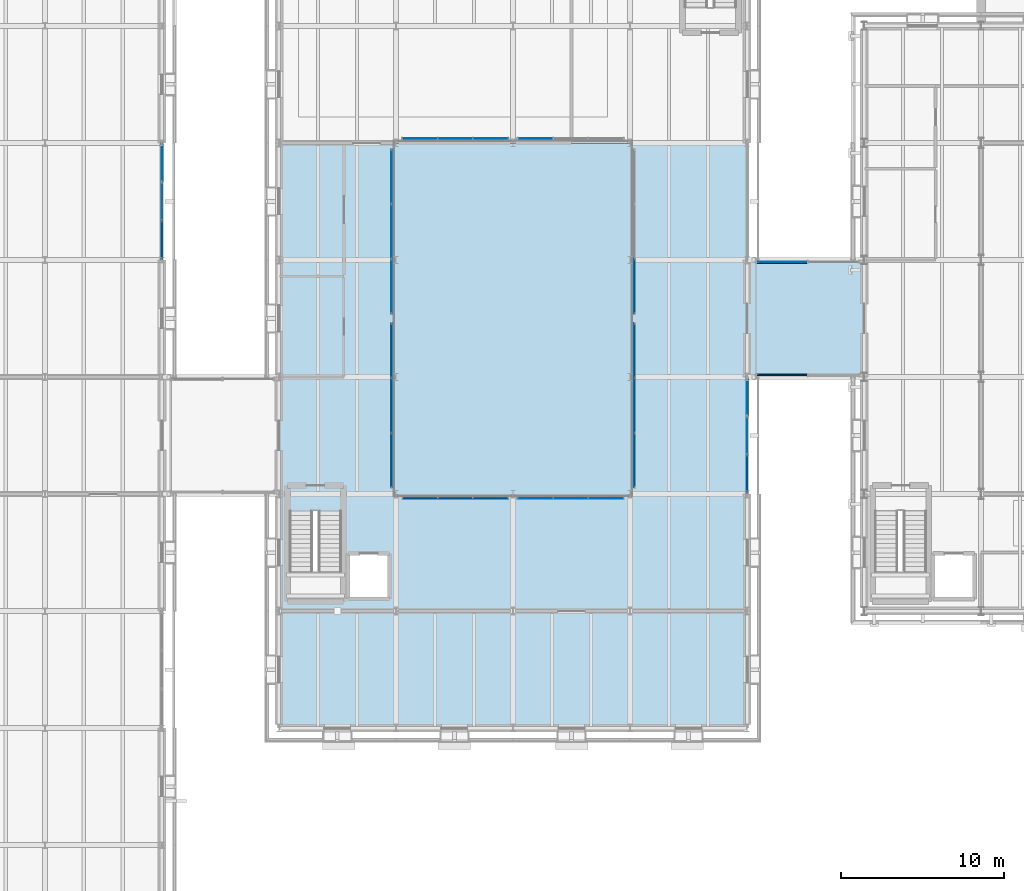
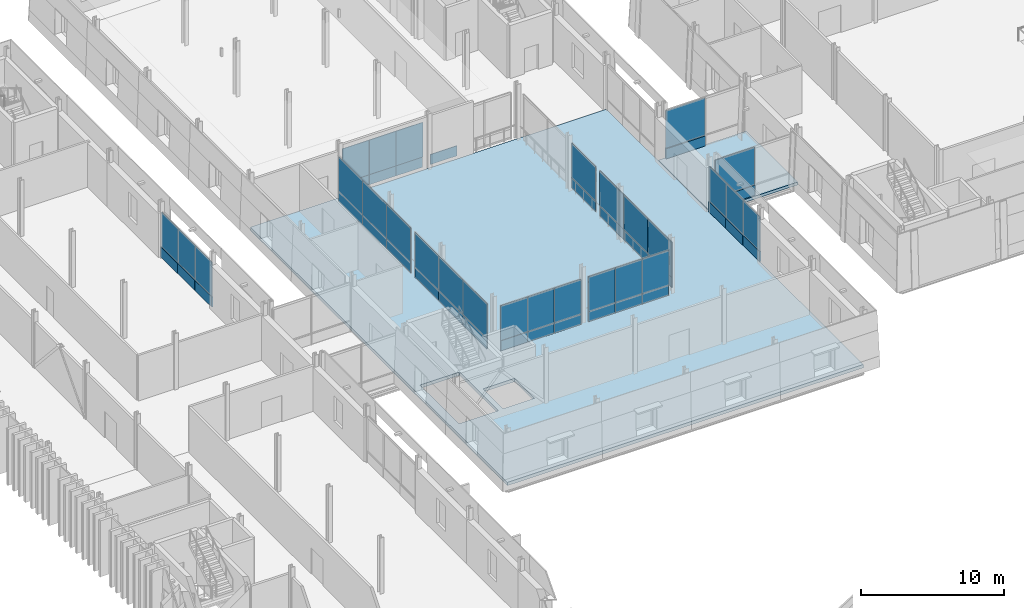
# One storey, part 62 of 121: 55 plates, 2 slabs, 12 elements without a shape of their own.
"""IFC4 building model written with IfcOpenShell, lengths in metres."""

from ifc_helpers import new_model, si_unit, direction, frame, origin, origin_2d, place, context, subcontext, project, spatial, polyline, rectangle, outline, extrude, material, layer, layer_set, type_object, element, aggregate, save


model = new_model("IFC4")

# Units and contexts
model_context = context("Model", 3, precision=1e-05, world=origin(), true_north=direction((0.0, 1.0)))
body_context = subcontext(model_context, "Body", "Model", "MODEL_VIEW")
ifc_project = project(units=[si_unit("LENGTHUNIT", "METRE"), si_unit("AREAUNIT", "SQUARE_METRE"), si_unit("VOLUMEUNIT", "CUBIC_METRE"), si_unit("PLANEANGLEUNIT", "RADIAN"), si_unit("MASSUNIT", "GRAM", prefix="KILO")], contexts=[model_context])

# Site, building, storey
site_placement = place(None, origin())
site = spatial("IfcSite", under=ifc_project, at=site_placement, CompositionType="ELEMENT")
building_placement = place(site_placement, origin())
building = spatial("IfcBuilding", under=site, at=building_placement, Name="Narikvali Park Central Library", CompositionType="ELEMENT")
storey_placement = place(building_placement, frame((0.0, 0.0, 5.39990234375)))
storey = spatial("IfcBuildingStorey", under=building, at=storey_placement, Name="L01", CompositionType="ELEMENT", Elevation=5.39990234375)

# Slabs
ifc_material_1 = material(Name="Concrete C40/50", Category="concrete")
ifc_layer_1 = layer(ifc_material_1, 0.25, Name="Concrete C40/50")
ifc_layer_set_1 = layer_set([ifc_layer_1], Name="Concrete C40/50")
slab_type_1 = type_object("IfcSlabType", Name="Bridge Sliding Deck Slab 250", PredefinedType="FLOOR", material=ifc_layer_set_1)
slab_1_placement = place(storey_placement, frame((0.0, 0.0, -0.25)))
element("IfcSlab", 1, at=slab_1_placement, inside=storey, type_object=slab_type_1, Name="BRG-2 L01 Covered Bridge Deck", PredefinedType="FLOOR", context=body_context, shape_type="SweptSolid", body=[
    extrude(outline(polyline([(57.639892578125, 72.0), (64.760009765625, 72.0), (64.760009765625, 79.199951171875), (57.639892578125, 79.199951171875), (57.639892578125, 72.0)])), origin(), (0.0, 0.0, 1.0), 0.25),
])
ifc_material_2 = material(Name="Concrete C35/45", Category="concrete")
ifc_layer_2 = layer(ifc_material_2, 0.280029296875, Name="Concrete C35/45")
ifc_layer_set_2 = layer_set([ifc_layer_2], Name="Concrete C35/45")
slab_type_2 = type_object("IfcSlabType", Name="Composite Reading Floor Slab 280", PredefinedType="FLOOR", material=ifc_layer_set_2)
slab_2_placement = place(storey_placement, frame((0.0, 0.0, -0.27978515625)))
element("IfcSlab", 2, at=slab_2_placement, inside=storey, type_object=slab_type_2, Name="V4 L01 Structural Slab Panel 1", PredefinedType="FLOOR", context=body_context, shape_type="SweptSolid", body=[
    extrude(outline(polyline([(28.800048828125, 50.39990234375), (57.60009765625, 50.39990234375), (57.60009765625, 86.39990234375), (28.800048828125, 86.39990234375), (28.800048828125, 50.39990234375)]), holes=[polyline([(29.449951171875, 58.300048828125), (32.64990234375, 58.300048828125), (32.64990234375, 63.75), (29.449951171875, 63.75), (29.449951171875, 58.300048828125)]), polyline([(33.050048828125, 58.35009765625), (35.60009765625, 58.35009765625), (35.60009765625, 61.14990234375), (33.050048828125, 61.14990234375), (33.050048828125, 58.35009765625)])]), origin(), (0.0, 0.0, 1.0), 0.27978515625),
])

# Curtain wall, plate
ifc_material_3 = material(Name="Anodised Bronze Aluminium", Category="aluminium")
ifc_layer_3 = layer(ifc_material_3, 0.219970703125, Name="Anodised Bronze Aluminium")
ifc_layer_set_3 = layer_set([ifc_layer_3], Name="Anodised Bronze Aluminium")
curtain_wall_type_1 = type_object("IfcCurtainWallType", Name="Atrium Tall Curtain Wall System", PredefinedType="NOTDEFINED", material=ifc_layer_set_3)
curtain_wall_1_placement = place(storey_placement, origin())
curtain_wall_1 = element("IfcCurtainWall", 3, at=curtain_wall_1_placement, inside=storey, type_object=curtain_wall_type_1, Name="Atrium Tall Curtain Wall System CW-V4-L01-E-03", PredefinedType="NOTDEFINED")
ifc_material_4 = material(Name="Anodised Bronze Acoustic Spandrel Cassette")
ifc_layer_4 = layer(ifc_material_4, 0.1650390625, Name="Anodised Bronze Acoustic Spandrel Cassette")
ifc_layer_set_4 = layer_set([ifc_layer_4], Name="Anodised Bronze Acoustic Spandrel Cassette")
plate_type_1 = type_object("IfcPlateType", Name="Curtain Wall Acoustic Plenum Louvre Cassette 165", PredefinedType="CURTAIN_PANEL", material=ifc_layer_set_4)
plate_1_placement = place(storey_placement, frame((57.60009765625, 70.774658203125, 0.03515625), z_axis=(0.0, 0.0, 1.0), x_axis=(0.0, 1.0, 0.0)))
plate_1 = element("IfcPlate", 4, at=plate_1_placement, type_object=plate_type_1, Name="CW-V4-L01-E-03 Panel 02-0", PredefinedType="CURTAIN_PANEL", context=body_context, shape_type="SweptSolid", body=[
    extrude(rectangle(XDim=2.36474609375, YDim=0.1650390625, at=origin_2d()), origin(), (0.0, 0.0, 1.0), 0.860107421875),
])

curtain_wall_2_placement = place(storey_placement, origin())
curtain_wall_2 = element("IfcCurtainWall", 5, at=curtain_wall_2_placement, inside=storey, type_object=curtain_wall_type_1, Name="Atrium Tall Curtain Wall System CW-V5-L01-E-08", PredefinedType="NOTDEFINED")
plate_2_placement = place(storey_placement, frame((21.60009765625, 85.1748046875, 0.03515625), z_axis=(0.0, 0.0, 1.0), x_axis=(0.0, 1.0, 0.0)))
plate_2 = element("IfcPlate", 6, at=plate_2_placement, type_object=plate_type_1, Name="CW-V5-L01-E-08 Panel 02-0", PredefinedType="CURTAIN_PANEL", context=body_context, shape_type="SweptSolid", body=[
    extrude(rectangle(XDim=2.36474609375, YDim=0.1650390625, at=origin_2d()), origin(), (0.0, 0.0, 1.0), 0.860107421875),
])

ifc_layer_5 = layer(ifc_material_3, 0.219970703125, Name="Anodised Bronze Aluminium")
ifc_layer_set_5 = layer_set([ifc_layer_5], Name="Anodised Bronze Aluminium")
curtain_wall_type_2 = type_object("IfcCurtainWallType", Name="Bridge Covered Passage Glazing System", PredefinedType="NOTDEFINED", material=ifc_layer_set_5)
curtain_wall_3_placement = place(storey_placement, origin())
curtain_wall_3 = element("IfcCurtainWall", 7, at=curtain_wall_3_placement, inside=storey, type_object=curtain_wall_type_2, Name="Bridge Covered Passage Glazing System CW-BRG-2-L01-N1", PredefinedType="NOTDEFINED")
plate_3_placement = place(storey_placement, frame((59.737548828125, 79.080078125, 0.03515625), z_axis=(0.0, 0.0, 1.0), x_axis=(1.0, 0.0, 0.0)))
plate_3 = element("IfcPlate", 8, at=plate_3_placement, type_object=plate_type_1, Name="CW-BRG-2-L01-N1 Panel 00-0", PredefinedType="CURTAIN_PANEL", context=body_context, shape_type="SweptSolid", body=[
    extrude(rectangle(XDim=3.1650390625, YDim=0.1650390625, at=origin_2d()), origin(), (0.0, 0.0, 1.0), 0.860107421875),
])

curtain_wall_4_placement = place(storey_placement, origin())
curtain_wall_4 = element("IfcCurtainWall", 9, at=curtain_wall_4_placement, inside=storey, type_object=curtain_wall_type_2, Name="Bridge Covered Passage Glazing System CW-BRG-2-L01-S1", PredefinedType="NOTDEFINED")
ifc_material_5 = material(Name="Heavy Acoustic Laminated Clerestory Glazing", Category="glass")
ifc_layer_6 = layer(ifc_material_5, 0.06396484375, Name="Heavy Acoustic Laminated Clerestory Glazing")
ifc_layer_set_6 = layer_set([ifc_layer_6], Name="Heavy Acoustic Laminated Clerestory Glazing")
plate_type_2 = type_object("IfcPlateType", Name="Curtain Wall Clerestory Laminated Acoustic Glass 64", PredefinedType="CURTAIN_PANEL", material=ifc_layer_set_6)
plate_4_placement = place(storey_placement, frame((59.737548828125, 72.1201171875, 0.905029296875), z_axis=(0.0, 0.0, 1.0), x_axis=(1.0, 0.0, 0.0)))
plate_4 = element("IfcPlate", 10, at=plate_4_placement, type_object=plate_type_2, Name="CW-BRG-2-L01-S1 Panel 00-1", PredefinedType="CURTAIN_PANEL", context=body_context, shape_type="SweptSolid", body=[
    extrude(rectangle(XDim=3.1650390625, YDim=0.06396484375, at=origin_2d()), origin(), (0.0, 0.0, 1.0), 3.2099609375),
])

# Curtain wall, plates
curtain_wall_5_placement = place(storey_placement, origin())
curtain_wall_5 = element("IfcCurtainWall", 11, at=curtain_wall_5_placement, inside=storey, type_object=curtain_wall_type_1, Name="Atrium Tall Curtain Wall System CW-INT-V4-L01-W1", PredefinedType="NOTDEFINED")
plate_5_placement = place(storey_placement, frame((35.719970703125, 66.88330078125, 0.03515625), z_axis=(0.0, 0.0, 1.0), x_axis=(0.0, 1.0, 0.0)))
plate_5 = element("IfcPlate", 12, at=plate_5_placement, type_object=plate_type_2, Name="CW-INT-V4-L01-W1 Panel 00-0", PredefinedType="CURTAIN_PANEL", context=body_context, shape_type="SweptSolid", body=[
    extrude(rectangle(XDim=3.356689453125, YDim=0.06396484375, at=origin_2d()), origin(), (0.0, 0.0, 1.0), 0.860107421875),
])
plate_6_placement = place(storey_placement, frame((35.719970703125, 70.25, 0.03515625), z_axis=(0.0, 0.0, 1.0), x_axis=(0.0, 1.0, 0.0)))
plate_6 = element("IfcPlate", 13, at=plate_6_placement, type_object=plate_type_2, Name="CW-INT-V4-L01-W1 Panel 01-0", PredefinedType="CURTAIN_PANEL", context=body_context, shape_type="SweptSolid", body=[
    extrude(rectangle(XDim=3.356689453125, YDim=0.06396484375, at=origin_2d()), origin(), (0.0, 0.0, 1.0), 0.860107421875),
])
plate_7_placement = place(storey_placement, frame((35.719970703125, 73.61669921875, 0.03515625), z_axis=(0.0, 0.0, 1.0), x_axis=(0.0, 1.0, 0.0)))
plate_7 = element("IfcPlate", 14, at=plate_7_placement, type_object=plate_type_2, Name="CW-INT-V4-L01-W1 Panel 02-0", PredefinedType="CURTAIN_PANEL", context=body_context, shape_type="SweptSolid", body=[
    extrude(rectangle(XDim=3.356689453125, YDim=0.06396484375, at=origin_2d()), origin(), (0.0, 0.0, 1.0), 0.860107421875),
])

curtain_wall_6_placement = place(storey_placement, origin())
curtain_wall_6 = element("IfcCurtainWall", 15, at=curtain_wall_6_placement, inside=storey, type_object=curtain_wall_type_1, Name="Atrium Tall Curtain Wall System CW-INT-V4-L01-E1", PredefinedType="NOTDEFINED")
plate_8_placement = place(storey_placement, frame((50.679931640625, 66.88330078125, 0.905029296875), z_axis=(0.0, 0.0, 1.0), x_axis=(0.0, 1.0, 0.0)))
plate_8 = element("IfcPlate", 16, at=plate_8_placement, type_object=plate_type_2, Name="CW-INT-V4-L01-E1 Panel 00-1", PredefinedType="CURTAIN_PANEL", context=body_context, shape_type="SweptSolid", body=[
    extrude(rectangle(XDim=3.356689453125, YDim=0.06396484375, at=origin_2d()), origin(), (0.0, 0.0, 1.0), 2.9599609375),
])
plate_9_placement = place(storey_placement, frame((50.679931640625, 70.25, 0.905029296875), z_axis=(0.0, 0.0, 1.0), x_axis=(0.0, 1.0, 0.0)))
plate_9 = element("IfcPlate", 17, at=plate_9_placement, type_object=plate_type_2, Name="CW-INT-V4-L01-E1 Panel 01-1", PredefinedType="CURTAIN_PANEL", context=body_context, shape_type="SweptSolid", body=[
    extrude(rectangle(XDim=3.356689453125, YDim=0.06396484375, at=origin_2d()), origin(), (0.0, 0.0, 1.0), 2.9599609375),
])
plate_10_placement = place(storey_placement, frame((50.679931640625, 73.61669921875, 0.905029296875), z_axis=(0.0, 0.0, 1.0), x_axis=(0.0, 1.0, 0.0)))
plate_10 = element("IfcPlate", 18, at=plate_10_placement, type_object=plate_type_2, Name="CW-INT-V4-L01-E1 Panel 02-1", PredefinedType="CURTAIN_PANEL", context=body_context, shape_type="SweptSolid", body=[
    extrude(rectangle(XDim=3.356689453125, YDim=0.06396484375, at=origin_2d()), origin(), (0.0, 0.0, 1.0), 2.9599609375),
])

# Curtain wall, plate
curtain_wall_7_placement = place(storey_placement, origin())
curtain_wall_7 = element("IfcCurtainWall", 19, at=curtain_wall_7_placement, inside=storey, type_object=curtain_wall_type_1, Name="Atrium Tall Curtain Wall System CW-INT-V4-L01-E2", PredefinedType="NOTDEFINED")
plate_11_placement = place(storey_placement, frame((50.679931640625, 77.583251953125, 0.03515625), z_axis=(0.0, 0.0, 1.0), x_axis=(0.0, 1.0, 0.0)))
plate_11 = element("IfcPlate", 20, at=plate_11_placement, type_object=plate_type_2, Name="CW-INT-V4-L01-E2 Panel 00-0", PredefinedType="CURTAIN_PANEL", context=body_context, shape_type="SweptSolid", body=[
    extrude(rectangle(XDim=3.356689453125, YDim=0.06396484375, at=origin_2d()), origin(), (0.0, 0.0, 1.0), 0.860107421875),
])

# Curtain wall, plates
curtain_wall_8_placement = place(storey_placement, origin())
curtain_wall_8 = element("IfcCurtainWall", 21, at=curtain_wall_8_placement, inside=storey, type_object=curtain_wall_type_1, Name="Atrium Tall Curtain Wall System CW-INT-V4-L01-S1", PredefinedType="NOTDEFINED")
plate_12_placement = place(storey_placement, frame((37.4833984375, 64.52001953125, 0.03515625), z_axis=(0.0, 0.0, 1.0), x_axis=(1.0, 0.0, 0.0)))
plate_12 = element("IfcPlate", 22, at=plate_12_placement, type_object=plate_type_2, Name="CW-INT-V4-L01-S1 Panel 00-0", PredefinedType="CURTAIN_PANEL", context=body_context, shape_type="SweptSolid", body=[
    extrude(rectangle(XDim=2.15673828125, YDim=0.06396484375, at=origin_2d()), origin(), (0.0, 0.0, 1.0), 0.860107421875),
])
plate_13_placement = place(storey_placement, frame((39.64990234375, 64.52001953125, 0.03515625), z_axis=(0.0, 0.0, 1.0), x_axis=(1.0, 0.0, 0.0)))
plate_13 = element("IfcPlate", 23, at=plate_13_placement, type_object=plate_type_2, Name="CW-INT-V4-L01-S1 Panel 01-0", PredefinedType="CURTAIN_PANEL", context=body_context, shape_type="SweptSolid", body=[
    extrude(rectangle(XDim=2.15673828125, YDim=0.06396484375, at=origin_2d()), origin(), (0.0, 0.0, 1.0), 0.860107421875),
])
plate_14_placement = place(storey_placement, frame((41.816650390625, 64.52001953125, 0.03515625), z_axis=(0.0, 0.0, 1.0), x_axis=(1.0, 0.0, 0.0)))
plate_14 = element("IfcPlate", 24, at=plate_14_placement, type_object=plate_type_2, Name="CW-INT-V4-L01-S1 Panel 02-0", PredefinedType="CURTAIN_PANEL", context=body_context, shape_type="SweptSolid", body=[
    extrude(rectangle(XDim=2.15673828125, YDim=0.06396484375, at=origin_2d()), origin(), (0.0, 0.0, 1.0), 0.860107421875),
])

# Plate
ifc_material_6 = material(Name="Double Low-E Tempered Vision Glazing", Category="glass")
ifc_layer_7 = layer(ifc_material_6, 0.035888671875, Name="Double Low-E Tempered Vision Glazing")
ifc_layer_set_7 = layer_set([ifc_layer_7], Name="Double Low-E Tempered Vision Glazing")
plate_type_3 = type_object("IfcPlateType", Name="Curtain Wall Double Low-E Vision Glazing 36", PredefinedType="CURTAIN_PANEL", material=ifc_layer_set_7)
plate_15_placement = place(storey_placement, frame((59.737548828125, 79.080078125, 0.905029296875), z_axis=(0.0, 0.0, 1.0), x_axis=(1.0, 0.0, 0.0)))
plate_15 = element("IfcPlate", 25, at=plate_15_placement, type_object=plate_type_3, Name="CW-BRG-2-L01-N1 Panel 00-1", PredefinedType="CURTAIN_PANEL", context=body_context, shape_type="SweptSolid", body=[
    extrude(rectangle(XDim=3.1650390625, YDim=0.035888671875, at=origin_2d()), origin(), (0.0, 0.0, 1.0), 3.2099609375),
])

aggregate(curtain_wall_3, [plate_3, plate_15])

plate_16_placement = place(storey_placement, frame((35.719970703125, 66.88330078125, 0.905029296875), z_axis=(0.0, 0.0, 1.0), x_axis=(0.0, 1.0, 0.0)))
plate_16 = element("IfcPlate", 26, at=plate_16_placement, type_object=plate_type_3, Name="CW-INT-V4-L01-W1 Panel 00-1", PredefinedType="CURTAIN_PANEL", context=body_context, shape_type="SweptSolid", body=[
    extrude(rectangle(XDim=3.356689453125, YDim=0.035888671875, at=origin_2d()), origin(), (0.0, 0.0, 1.0), 2.9599609375),
])

plate_17_placement = place(storey_placement, frame((35.719970703125, 70.25, 0.905029296875), z_axis=(0.0, 0.0, 1.0), x_axis=(0.0, 1.0, 0.0)))
plate_17 = element("IfcPlate", 27, at=plate_17_placement, type_object=plate_type_3, Name="CW-INT-V4-L01-W1 Panel 01-1", PredefinedType="CURTAIN_PANEL", context=body_context, shape_type="SweptSolid", body=[
    extrude(rectangle(XDim=3.356689453125, YDim=0.035888671875, at=origin_2d()), origin(), (0.0, 0.0, 1.0), 2.9599609375),
])

plate_18_placement = place(storey_placement, frame((35.719970703125, 73.61669921875, 0.905029296875), z_axis=(0.0, 0.0, 1.0), x_axis=(0.0, 1.0, 0.0)))
plate_18 = element("IfcPlate", 28, at=plate_18_placement, type_object=plate_type_3, Name="CW-INT-V4-L01-W1 Panel 02-1", PredefinedType="CURTAIN_PANEL", context=body_context, shape_type="SweptSolid", body=[
    extrude(rectangle(XDim=3.356689453125, YDim=0.035888671875, at=origin_2d()), origin(), (0.0, 0.0, 1.0), 2.9599609375),
])

aggregate(curtain_wall_5, [plate_5, plate_16, plate_6, plate_17, plate_7, plate_18])

# Curtain wall, plates
curtain_wall_9_placement = place(storey_placement, origin())
curtain_wall_9 = element("IfcCurtainWall", 29, at=curtain_wall_9_placement, inside=storey, type_object=curtain_wall_type_1, Name="Atrium Tall Curtain Wall System CW-INT-V4-L01-W2", PredefinedType="NOTDEFINED")
plate_19_placement = place(storey_placement, frame((35.719970703125, 77.583251953125, 0.03515625), z_axis=(0.0, 0.0, 1.0), x_axis=(0.0, 1.0, 0.0)))
plate_19 = element("IfcPlate", 30, at=plate_19_placement, type_object=plate_type_3, Name="CW-INT-V4-L01-W2 Panel 00-0", PredefinedType="CURTAIN_PANEL", context=body_context, shape_type="SweptSolid", body=[
    extrude(rectangle(XDim=3.356689453125, YDim=0.035888671875, at=origin_2d()), origin(), (0.0, 0.0, 1.0), 0.860107421875),
])
plate_20_placement = place(storey_placement, frame((35.719970703125, 80.949951171875, 0.03515625), z_axis=(0.0, 0.0, 1.0), x_axis=(0.0, 1.0, 0.0)))
plate_20 = element("IfcPlate", 31, at=plate_20_placement, type_object=plate_type_3, Name="CW-INT-V4-L01-W2 Panel 01-0", PredefinedType="CURTAIN_PANEL", context=body_context, shape_type="SweptSolid", body=[
    extrude(rectangle(XDim=3.356689453125, YDim=0.035888671875, at=origin_2d()), origin(), (0.0, 0.0, 1.0), 0.860107421875),
])
plate_21_placement = place(storey_placement, frame((35.719970703125, 84.316650390625, 0.03515625), z_axis=(0.0, 0.0, 1.0), x_axis=(0.0, 1.0, 0.0)))
plate_21 = element("IfcPlate", 32, at=plate_21_placement, type_object=plate_type_3, Name="CW-INT-V4-L01-W2 Panel 02-0", PredefinedType="CURTAIN_PANEL", context=body_context, shape_type="SweptSolid", body=[
    extrude(rectangle(XDim=3.356689453125, YDim=0.035888671875, at=origin_2d()), origin(), (0.0, 0.0, 1.0), 0.860107421875),
])

# Plate
plate_22_placement = place(storey_placement, frame((50.679931640625, 77.583251953125, 0.905029296875), z_axis=(0.0, 0.0, 1.0), x_axis=(0.0, 1.0, 0.0)))
plate_22 = element("IfcPlate", 33, at=plate_22_placement, type_object=plate_type_3, Name="CW-INT-V4-L01-E2 Panel 00-1", PredefinedType="CURTAIN_PANEL", context=body_context, shape_type="SweptSolid", body=[
    extrude(rectangle(XDim=3.356689453125, YDim=0.035888671875, at=origin_2d()), origin(), (0.0, 0.0, 1.0), 2.9599609375),
])

aggregate(curtain_wall_7, [plate_11, plate_22])

# Curtain wall, plates
curtain_wall_10_placement = place(storey_placement, origin())
curtain_wall_10 = element("IfcCurtainWall", 34, at=curtain_wall_10_placement, inside=storey, type_object=curtain_wall_type_1, Name="Atrium Tall Curtain Wall System CW-INT-V4-L01-N1", PredefinedType="NOTDEFINED")
plate_23_placement = place(storey_placement, frame((37.4833984375, 86.679931640625, 0.03515625), z_axis=(0.0, 0.0, 1.0), x_axis=(1.0, 0.0, 0.0)))
plate_23 = element("IfcPlate", 35, at=plate_23_placement, type_object=plate_type_3, Name="CW-INT-V4-L01-N1 Panel 00-0", PredefinedType="CURTAIN_PANEL", context=body_context, shape_type="SweptSolid", body=[
    extrude(rectangle(XDim=2.15673828125, YDim=0.035888671875, at=origin_2d()), origin(), (0.0, 0.0, 1.0), 0.860107421875),
])
plate_24_placement = place(storey_placement, frame((39.64990234375, 86.679931640625, 0.03515625), z_axis=(0.0, 0.0, 1.0), x_axis=(1.0, 0.0, 0.0)))
plate_24 = element("IfcPlate", 36, at=plate_24_placement, type_object=plate_type_3, Name="CW-INT-V4-L01-N1 Panel 01-0", PredefinedType="CURTAIN_PANEL", context=body_context, shape_type="SweptSolid", body=[
    extrude(rectangle(XDim=2.15673828125, YDim=0.035888671875, at=origin_2d()), origin(), (0.0, 0.0, 1.0), 0.860107421875),
])
plate_25_placement = place(storey_placement, frame((41.816650390625, 86.679931640625, 0.03515625), z_axis=(0.0, 0.0, 1.0), x_axis=(1.0, 0.0, 0.0)))
plate_25 = element("IfcPlate", 37, at=plate_25_placement, type_object=plate_type_3, Name="CW-INT-V4-L01-N1 Panel 02-0", PredefinedType="CURTAIN_PANEL", context=body_context, shape_type="SweptSolid", body=[
    extrude(rectangle(XDim=2.15673828125, YDim=0.035888671875, at=origin_2d()), origin(), (0.0, 0.0, 1.0), 0.860107421875),
])

# Plate
plate_26_placement = place(storey_placement, frame((37.4833984375, 64.52001953125, 0.905029296875), z_axis=(0.0, 0.0, 1.0), x_axis=(1.0, 0.0, 0.0)))
plate_26 = element("IfcPlate", 38, at=plate_26_placement, type_object=plate_type_3, Name="CW-INT-V4-L01-S1 Panel 00-1", PredefinedType="CURTAIN_PANEL", context=body_context, shape_type="SweptSolid", body=[
    extrude(rectangle(XDim=2.15673828125, YDim=0.035888671875, at=origin_2d()), origin(), (0.0, 0.0, 1.0), 2.9599609375),
])

plate_27_placement = place(storey_placement, frame((39.64990234375, 64.52001953125, 0.905029296875), z_axis=(0.0, 0.0, 1.0), x_axis=(1.0, 0.0, 0.0)))
plate_27 = element("IfcPlate", 39, at=plate_27_placement, type_object=plate_type_3, Name="CW-INT-V4-L01-S1 Panel 01-1", PredefinedType="CURTAIN_PANEL", context=body_context, shape_type="SweptSolid", body=[
    extrude(rectangle(XDim=2.15673828125, YDim=0.035888671875, at=origin_2d()), origin(), (0.0, 0.0, 1.0), 2.9599609375),
])

plate_28_placement = place(storey_placement, frame((41.816650390625, 64.52001953125, 0.905029296875), z_axis=(0.0, 0.0, 1.0), x_axis=(1.0, 0.0, 0.0)))
plate_28 = element("IfcPlate", 40, at=plate_28_placement, type_object=plate_type_3, Name="CW-INT-V4-L01-S1 Panel 02-1", PredefinedType="CURTAIN_PANEL", context=body_context, shape_type="SweptSolid", body=[
    extrude(rectangle(XDim=2.15673828125, YDim=0.035888671875, at=origin_2d()), origin(), (0.0, 0.0, 1.0), 2.9599609375),
])

aggregate(curtain_wall_8, [plate_12, plate_26, plate_13, plate_27, plate_14, plate_28])

# Curtain wall, plates
curtain_wall_11_placement = place(storey_placement, origin())
curtain_wall_11 = element("IfcCurtainWall", 41, at=curtain_wall_11_placement, inside=storey, type_object=curtain_wall_type_1, Name="Atrium Tall Curtain Wall System CW-INT-V4-L01-S2", PredefinedType="NOTDEFINED")
plate_29_placement = place(storey_placement, frame((44.583251953125, 64.52001953125, 0.03515625), z_axis=(0.0, 0.0, 1.0), x_axis=(1.0, 0.0, 0.0)))
plate_29 = element("IfcPlate", 42, at=plate_29_placement, type_object=plate_type_3, Name="CW-INT-V4-L01-S2 Panel 00-0", PredefinedType="CURTAIN_PANEL", context=body_context, shape_type="SweptSolid", body=[
    extrude(rectangle(XDim=2.15673828125, YDim=0.035888671875, at=origin_2d()), origin(), (0.0, 0.0, 1.0), 0.860107421875),
])
plate_30_placement = place(storey_placement, frame((46.75, 64.52001953125, 0.03515625), z_axis=(0.0, 0.0, 1.0), x_axis=(1.0, 0.0, 0.0)))
plate_30 = element("IfcPlate", 43, at=plate_30_placement, type_object=plate_type_3, Name="CW-INT-V4-L01-S2 Panel 01-0", PredefinedType="CURTAIN_PANEL", context=body_context, shape_type="SweptSolid", body=[
    extrude(rectangle(XDim=2.15673828125, YDim=0.035888671875, at=origin_2d()), origin(), (0.0, 0.0, 1.0), 0.860107421875),
])
plate_31_placement = place(storey_placement, frame((48.916748046875, 64.52001953125, 0.03515625), z_axis=(0.0, 0.0, 1.0), x_axis=(1.0, 0.0, 0.0)))
plate_31 = element("IfcPlate", 44, at=plate_31_placement, type_object=plate_type_3, Name="CW-INT-V4-L01-S2 Panel 02-0", PredefinedType="CURTAIN_PANEL", context=body_context, shape_type="SweptSolid", body=[
    extrude(rectangle(XDim=2.15673828125, YDim=0.035888671875, at=origin_2d()), origin(), (0.0, 0.0, 1.0), 0.860107421875),
])

# Plate
ifc_material_7 = material(Name="Anodised Bronze Insulated Spandrel Cassette")
ifc_layer_8 = layer(ifc_material_7, 0.110107421875, Name="Anodised Bronze Insulated Spandrel Cassette")
ifc_layer_set_8 = layer_set([ifc_layer_8], Name="Anodised Bronze Insulated Spandrel Cassette")
plate_type_4 = type_object("IfcPlateType", Name="Curtain Wall Insulated Bronze Spandrel Cassette 110", PredefinedType="CURTAIN_PANEL", material=ifc_layer_set_8)
plate_32_placement = place(storey_placement, frame((57.60009765625, 66.025390625, 0.03515625), z_axis=(0.0, 0.0, 1.0), x_axis=(0.0, 1.0, 0.0)))
plate_32 = element("IfcPlate", 45, at=plate_32_placement, type_object=plate_type_4, Name="CW-V4-L01-E-03 Panel 00-0", PredefinedType="CURTAIN_PANEL", context=body_context, shape_type="SweptSolid", body=[
    extrude(rectangle(XDim=2.36474609375, YDim=0.110107421875, at=origin_2d()), origin(), (0.0, 0.0, 1.0), 0.860107421875),
])

plate_33_placement = place(storey_placement, frame((21.60009765625, 80.42529296875, 0.03515625), z_axis=(0.0, 0.0, 1.0), x_axis=(0.0, 1.0, 0.0)))
plate_33 = element("IfcPlate", 46, at=plate_33_placement, type_object=plate_type_4, Name="CW-V5-L01-E-08 Panel 00-0", PredefinedType="CURTAIN_PANEL", context=body_context, shape_type="SweptSolid", body=[
    extrude(rectangle(XDim=2.36474609375, YDim=0.110107421875, at=origin_2d()), origin(), (0.0, 0.0, 1.0), 0.860107421875),
])

ifc_material_8 = material(Name="Mineral-Wool Shadow-Box Spandrel Assembly")
ifc_layer_9 = layer(ifc_material_8, 0.139892578125, Name="Mineral-Wool Shadow-Box Spandrel Assembly")
ifc_layer_set_9 = layer_set([ifc_layer_9], Name="Mineral-Wool Shadow-Box Spandrel Assembly")
plate_type_5 = type_object("IfcPlateType", Name="Curtain Wall Shadow-Box Mineral Spandrel Panel 140", PredefinedType="CURTAIN_PANEL", material=ifc_layer_set_9)
plate_34_placement = place(storey_placement, frame((57.60009765625, 68.39990234375, 0.03515625), z_axis=(0.0, 0.0, 1.0), x_axis=(0.0, 1.0, 0.0)))
plate_34 = element("IfcPlate", 47, at=plate_34_placement, type_object=plate_type_5, Name="CW-V4-L01-E-03 Panel 01-0", PredefinedType="CURTAIN_PANEL", context=body_context, shape_type="SweptSolid", body=[
    extrude(rectangle(XDim=2.36474609375, YDim=0.139892578125, at=origin_2d()), origin(), (0.0, 0.0, 1.0), 0.860107421875),
])

plate_35_placement = place(storey_placement, frame((21.60009765625, 82.800048828125, 0.03515625), z_axis=(0.0, 0.0, 1.0), x_axis=(0.0, 1.0, 0.0)))
plate_35 = element("IfcPlate", 48, at=plate_35_placement, type_object=plate_type_5, Name="CW-V5-L01-E-08 Panel 01-0", PredefinedType="CURTAIN_PANEL", context=body_context, shape_type="SweptSolid", body=[
    extrude(rectangle(XDim=2.36474609375, YDim=0.139892578125, at=origin_2d()), origin(), (0.0, 0.0, 1.0), 0.860107421875),
])

plate_36_placement = place(storey_placement, frame((59.737548828125, 72.1201171875, 0.03515625), z_axis=(0.0, 0.0, 1.0), x_axis=(1.0, 0.0, 0.0)))
plate_36 = element("IfcPlate", 49, at=plate_36_placement, type_object=plate_type_5, Name="CW-BRG-2-L01-S1 Panel 00-0", PredefinedType="CURTAIN_PANEL", context=body_context, shape_type="SweptSolid", body=[
    extrude(rectangle(XDim=3.1650390625, YDim=0.139892578125, at=origin_2d()), origin(), (0.0, 0.0, 1.0), 0.860107421875),
])

aggregate(curtain_wall_4, [plate_36, plate_4])

ifc_material_9 = material(Name="Triple Low-E Acoustic Laminated Glazing", Category="glass")
ifc_layer_10 = layer(ifc_material_9, 0.048095703125, Name="Triple Low-E Acoustic Laminated Glazing")
ifc_layer_set_10 = layer_set([ifc_layer_10], Name="Triple Low-E Acoustic Laminated Glazing")
plate_type_6 = type_object("IfcPlateType", Name="Curtain Wall Triple Solar-Acoustic Glazing 48", PredefinedType="CURTAIN_PANEL", material=ifc_layer_set_10)
plate_37_placement = place(storey_placement, frame((57.60009765625, 66.025390625, 0.905029296875), z_axis=(0.0, 0.0, 1.0), x_axis=(0.0, 1.0, 0.0)))
plate_37 = element("IfcPlate", 50, at=plate_37_placement, type_object=plate_type_6, Name="CW-V4-L01-E-03 Panel 00-1", PredefinedType="CURTAIN_PANEL", context=body_context, shape_type="SweptSolid", body=[
    extrude(rectangle(XDim=2.36474609375, YDim=0.048095703125, at=origin_2d()), origin(), (0.0, 0.0, 1.0), 2.9599609375),
])

plate_38_placement = place(storey_placement, frame((57.60009765625, 68.39990234375, 0.905029296875), z_axis=(0.0, 0.0, 1.0), x_axis=(0.0, 1.0, 0.0)))
plate_38 = element("IfcPlate", 51, at=plate_38_placement, type_object=plate_type_6, Name="CW-V4-L01-E-03 Panel 01-1", PredefinedType="CURTAIN_PANEL", context=body_context, shape_type="SweptSolid", body=[
    extrude(rectangle(XDim=2.36474609375, YDim=0.048095703125, at=origin_2d()), origin(), (0.0, 0.0, 1.0), 2.9599609375),
])

plate_39_placement = place(storey_placement, frame((57.60009765625, 70.774658203125, 0.905029296875), z_axis=(0.0, 0.0, 1.0), x_axis=(0.0, 1.0, 0.0)))
plate_39 = element("IfcPlate", 52, at=plate_39_placement, type_object=plate_type_6, Name="CW-V4-L01-E-03 Panel 02-1", PredefinedType="CURTAIN_PANEL", context=body_context, shape_type="SweptSolid", body=[
    extrude(rectangle(XDim=2.36474609375, YDim=0.048095703125, at=origin_2d()), origin(), (0.0, 0.0, 1.0), 2.9599609375),
])

aggregate(curtain_wall_1, [plate_32, plate_37, plate_34, plate_38, plate_1, plate_39])

plate_40_placement = place(storey_placement, frame((21.60009765625, 80.42529296875, 0.905029296875), z_axis=(0.0, 0.0, 1.0), x_axis=(0.0, 1.0, 0.0)))
plate_40 = element("IfcPlate", 53, at=plate_40_placement, type_object=plate_type_6, Name="CW-V5-L01-E-08 Panel 00-1", PredefinedType="CURTAIN_PANEL", context=body_context, shape_type="SweptSolid", body=[
    extrude(rectangle(XDim=2.36474609375, YDim=0.048095703125, at=origin_2d()), origin(), (0.0, 0.0, 1.0), 2.93994140625),
])

plate_41_placement = place(storey_placement, frame((21.60009765625, 82.800048828125, 0.905029296875), z_axis=(0.0, 0.0, 1.0), x_axis=(0.0, 1.0, 0.0)))
plate_41 = element("IfcPlate", 54, at=plate_41_placement, type_object=plate_type_6, Name="CW-V5-L01-E-08 Panel 01-1", PredefinedType="CURTAIN_PANEL", context=body_context, shape_type="SweptSolid", body=[
    extrude(rectangle(XDim=2.36474609375, YDim=0.048095703125, at=origin_2d()), origin(), (0.0, 0.0, 1.0), 2.93994140625),
])

plate_42_placement = place(storey_placement, frame((21.60009765625, 85.1748046875, 0.905029296875), z_axis=(0.0, 0.0, 1.0), x_axis=(0.0, 1.0, 0.0)))
plate_42 = element("IfcPlate", 55, at=plate_42_placement, type_object=plate_type_6, Name="CW-V5-L01-E-08 Panel 02-1", PredefinedType="CURTAIN_PANEL", context=body_context, shape_type="SweptSolid", body=[
    extrude(rectangle(XDim=2.36474609375, YDim=0.048095703125, at=origin_2d()), origin(), (0.0, 0.0, 1.0), 2.93994140625),
])

aggregate(curtain_wall_2, [plate_33, plate_40, plate_35, plate_41, plate_2, plate_42])

plate_43_placement = place(storey_placement, frame((35.719970703125, 77.583251953125, 0.905029296875), z_axis=(0.0, 0.0, 1.0), x_axis=(0.0, 1.0, 0.0)))
plate_43 = element("IfcPlate", 56, at=plate_43_placement, type_object=plate_type_6, Name="CW-INT-V4-L01-W2 Panel 00-1", PredefinedType="CURTAIN_PANEL", context=body_context, shape_type="SweptSolid", body=[
    extrude(rectangle(XDim=3.356689453125, YDim=0.048095703125, at=origin_2d()), origin(), (0.0, 0.0, 1.0), 2.9599609375),
])

plate_44_placement = place(storey_placement, frame((35.719970703125, 80.949951171875, 0.905029296875), z_axis=(0.0, 0.0, 1.0), x_axis=(0.0, 1.0, 0.0)))
plate_44 = element("IfcPlate", 57, at=plate_44_placement, type_object=plate_type_6, Name="CW-INT-V4-L01-W2 Panel 01-1", PredefinedType="CURTAIN_PANEL", context=body_context, shape_type="SweptSolid", body=[
    extrude(rectangle(XDim=3.356689453125, YDim=0.048095703125, at=origin_2d()), origin(), (0.0, 0.0, 1.0), 2.9599609375),
])

plate_45_placement = place(storey_placement, frame((35.719970703125, 84.316650390625, 0.905029296875), z_axis=(0.0, 0.0, 1.0), x_axis=(0.0, 1.0, 0.0)))
plate_45 = element("IfcPlate", 58, at=plate_45_placement, type_object=plate_type_6, Name="CW-INT-V4-L01-W2 Panel 02-1", PredefinedType="CURTAIN_PANEL", context=body_context, shape_type="SweptSolid", body=[
    extrude(rectangle(XDim=3.356689453125, YDim=0.048095703125, at=origin_2d()), origin(), (0.0, 0.0, 1.0), 2.9599609375),
])

aggregate(curtain_wall_9, [plate_19, plate_43, plate_20, plate_44, plate_21, plate_45])

plate_46_placement = place(storey_placement, frame((50.679931640625, 66.88330078125, 0.03515625), z_axis=(0.0, 0.0, 1.0), x_axis=(0.0, 1.0, 0.0)))
plate_46 = element("IfcPlate", 59, at=plate_46_placement, type_object=plate_type_6, Name="CW-INT-V4-L01-E1 Panel 00-0", PredefinedType="CURTAIN_PANEL", context=body_context, shape_type="SweptSolid", body=[
    extrude(rectangle(XDim=3.356689453125, YDim=0.048095703125, at=origin_2d()), origin(), (0.0, 0.0, 1.0), 0.860107421875),
])

plate_47_placement = place(storey_placement, frame((50.679931640625, 70.25, 0.03515625), z_axis=(0.0, 0.0, 1.0), x_axis=(0.0, 1.0, 0.0)))
plate_47 = element("IfcPlate", 60, at=plate_47_placement, type_object=plate_type_6, Name="CW-INT-V4-L01-E1 Panel 01-0", PredefinedType="CURTAIN_PANEL", context=body_context, shape_type="SweptSolid", body=[
    extrude(rectangle(XDim=3.356689453125, YDim=0.048095703125, at=origin_2d()), origin(), (0.0, 0.0, 1.0), 0.860107421875),
])

plate_48_placement = place(storey_placement, frame((50.679931640625, 73.61669921875, 0.03515625), z_axis=(0.0, 0.0, 1.0), x_axis=(0.0, 1.0, 0.0)))
plate_48 = element("IfcPlate", 61, at=plate_48_placement, type_object=plate_type_6, Name="CW-INT-V4-L01-E1 Panel 02-0", PredefinedType="CURTAIN_PANEL", context=body_context, shape_type="SweptSolid", body=[
    extrude(rectangle(XDim=3.356689453125, YDim=0.048095703125, at=origin_2d()), origin(), (0.0, 0.0, 1.0), 0.860107421875),
])

aggregate(curtain_wall_6, [plate_46, plate_8, plate_47, plate_9, plate_48, plate_10])

plate_49_placement = place(storey_placement, frame((37.4833984375, 86.679931640625, 0.905029296875), z_axis=(0.0, 0.0, 1.0), x_axis=(1.0, 0.0, 0.0)))
plate_49 = element("IfcPlate", 62, at=plate_49_placement, type_object=plate_type_6, Name="CW-INT-V4-L01-N1 Panel 00-1", PredefinedType="CURTAIN_PANEL", context=body_context, shape_type="SweptSolid", body=[
    extrude(rectangle(XDim=2.15673828125, YDim=0.048095703125, at=origin_2d()), origin(), (0.0, 0.0, 1.0), 2.9599609375),
])

plate_50_placement = place(storey_placement, frame((39.64990234375, 86.679931640625, 0.905029296875), z_axis=(0.0, 0.0, 1.0), x_axis=(1.0, 0.0, 0.0)))
plate_50 = element("IfcPlate", 63, at=plate_50_placement, type_object=plate_type_6, Name="CW-INT-V4-L01-N1 Panel 01-1", PredefinedType="CURTAIN_PANEL", context=body_context, shape_type="SweptSolid", body=[
    extrude(rectangle(XDim=2.15673828125, YDim=0.048095703125, at=origin_2d()), origin(), (0.0, 0.0, 1.0), 2.9599609375),
])

plate_51_placement = place(storey_placement, frame((41.816650390625, 86.679931640625, 0.905029296875), z_axis=(0.0, 0.0, 1.0), x_axis=(1.0, 0.0, 0.0)))
plate_51 = element("IfcPlate", 64, at=plate_51_placement, type_object=plate_type_6, Name="CW-INT-V4-L01-N1 Panel 02-1", PredefinedType="CURTAIN_PANEL", context=body_context, shape_type="SweptSolid", body=[
    extrude(rectangle(XDim=2.15673828125, YDim=0.048095703125, at=origin_2d()), origin(), (0.0, 0.0, 1.0), 2.9599609375),
])

aggregate(curtain_wall_10, [plate_23, plate_49, plate_24, plate_50, plate_25, plate_51])

# Curtain wall, plate
curtain_wall_12_placement = place(storey_placement, origin())
curtain_wall_12 = element("IfcCurtainWall", 65, at=curtain_wall_12_placement, inside=storey, type_object=curtain_wall_type_1, Name="Atrium Tall Curtain Wall System CW-INT-V4-L01-N2", PredefinedType="NOTDEFINED")
plate_52_placement = place(storey_placement, frame((44.583251953125, 86.679931640625, 0.03515625), z_axis=(0.0, 0.0, 1.0), x_axis=(1.0, 0.0, 0.0)))
plate_52 = element("IfcPlate", 66, at=plate_52_placement, type_object=plate_type_6, Name="CW-INT-V4-L01-N2 Panel 00-0", PredefinedType="CURTAIN_PANEL", context=body_context, shape_type="SweptSolid", body=[
    extrude(rectangle(XDim=2.15673828125, YDim=0.048095703125, at=origin_2d()), origin(), (0.0, 0.0, 1.0), 0.860107421875),
])
aggregate(curtain_wall_12, [plate_52])

# Plate
plate_53_placement = place(storey_placement, frame((44.583251953125, 64.52001953125, 0.905029296875), z_axis=(0.0, 0.0, 1.0), x_axis=(1.0, 0.0, 0.0)))
plate_53 = element("IfcPlate", 67, at=plate_53_placement, type_object=plate_type_6, Name="CW-INT-V4-L01-S2 Panel 00-1", PredefinedType="CURTAIN_PANEL", context=body_context, shape_type="SweptSolid", body=[
    extrude(rectangle(XDim=2.15673828125, YDim=0.048095703125, at=origin_2d()), origin(), (0.0, 0.0, 1.0), 2.9599609375),
])

plate_54_placement = place(storey_placement, frame((46.75, 64.52001953125, 0.905029296875), z_axis=(0.0, 0.0, 1.0), x_axis=(1.0, 0.0, 0.0)))
plate_54 = element("IfcPlate", 68, at=plate_54_placement, type_object=plate_type_6, Name="CW-INT-V4-L01-S2 Panel 01-1", PredefinedType="CURTAIN_PANEL", context=body_context, shape_type="SweptSolid", body=[
    extrude(rectangle(XDim=2.15673828125, YDim=0.048095703125, at=origin_2d()), origin(), (0.0, 0.0, 1.0), 2.9599609375),
])

plate_55_placement = place(storey_placement, frame((48.916748046875, 64.52001953125, 0.905029296875), z_axis=(0.0, 0.0, 1.0), x_axis=(1.0, 0.0, 0.0)))
plate_55 = element("IfcPlate", 69, at=plate_55_placement, type_object=plate_type_6, Name="CW-INT-V4-L01-S2 Panel 02-1", PredefinedType="CURTAIN_PANEL", context=body_context, shape_type="SweptSolid", body=[
    extrude(rectangle(XDim=2.15673828125, YDim=0.048095703125, at=origin_2d()), origin(), (0.0, 0.0, 1.0), 2.9599609375),
])

aggregate(curtain_wall_11, [plate_29, plate_53, plate_30, plate_54, plate_31, plate_55])

save(model, "model.ifc")
